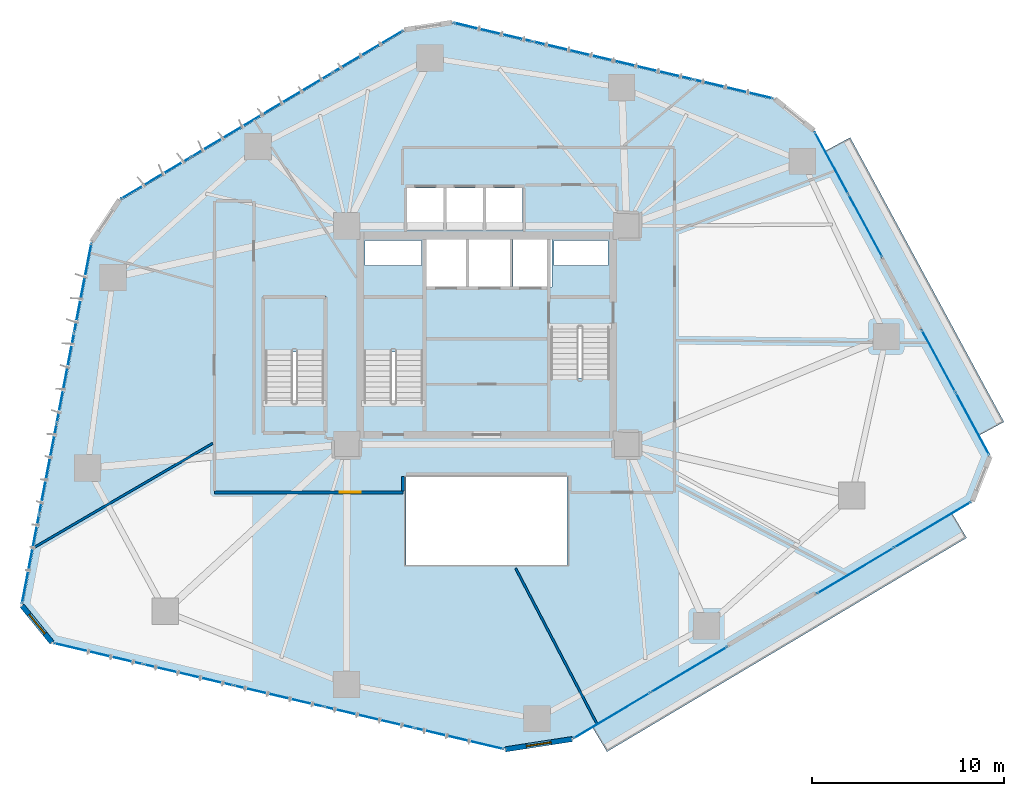
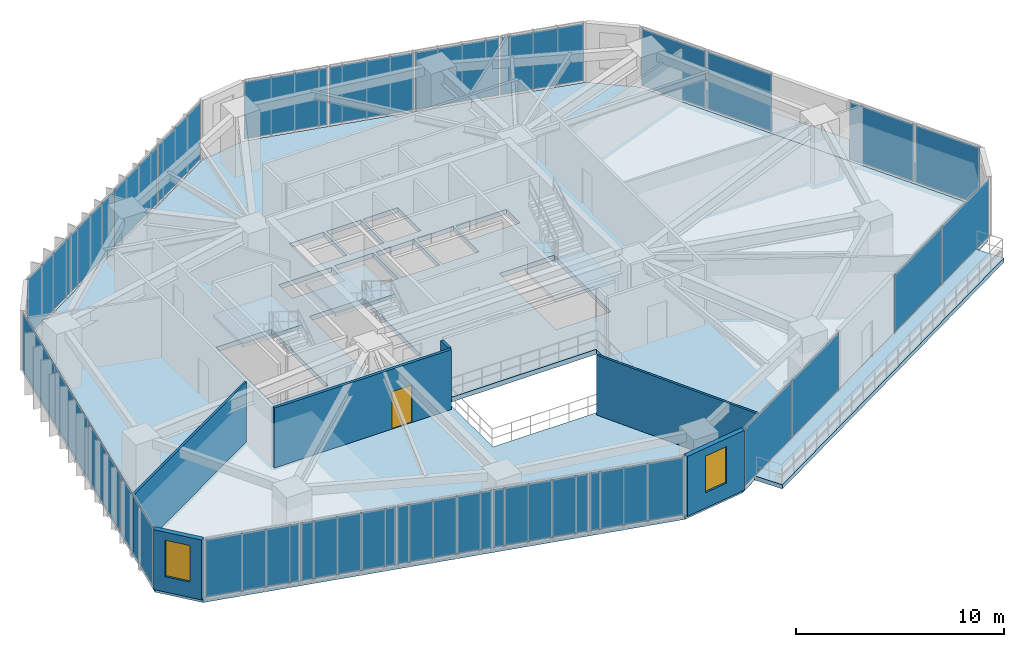
# One storey, part 16 of 23: 25 plates, 6 slabs, 6 walls, 2 windows, 1 door, 3 openings, 11 elements without a shape of their own.
"""IFC4 building model written with IfcOpenShell, lengths in metres."""

from ifc_helpers import new_model, si_unit, direction, frame, frame_2d, origin, origin_2d, place, context, subcontext, project, spatial, polyline, rectangle, outline, extrude, source, transform, mapped, material, layer, layer_set, type_object, type_shapes, element, fill, aggregate, save


model = new_model("IFC4")

# Units and contexts
model_context = context("Model", 3, precision=1e-05, world=origin(), true_north=direction((0.0, 1.0)))
body_context = subcontext(model_context, "Body", "Model", "MODEL_VIEW")
ifc_project = project(units=[si_unit("LENGTHUNIT", "METRE"), si_unit("AREAUNIT", "SQUARE_METRE"), si_unit("VOLUMEUNIT", "CUBIC_METRE"), si_unit("PLANEANGLEUNIT", "RADIAN"), si_unit("MASSUNIT", "GRAM", prefix="KILO")], contexts=[model_context])

# Site, building, storey
site_placement = place(None, origin())
site = spatial("IfcSite", under=ifc_project, at=site_placement, CompositionType="ELEMENT")
building_placement = place(site_placement, origin())
building = spatial("IfcBuilding", under=site, at=building_placement, Name="Talar Marvaseh", CompositionType="ELEMENT")
storey_placement = place(building_placement, frame((0.0, 0.0, 50.60009765625)))
storey = spatial("IfcBuildingStorey", under=building, at=storey_placement, Name="L12", CompositionType="ELEMENT", Elevation=50.60009765625)

# Slabs
ifc_material_1 = material(Name="Concrete C40/50", Category="concrete")
ifc_layer_1 = layer(ifc_material_1, 0.2451171875)
ifc_layer_set_1 = layer_set([ifc_layer_1], Name="Concrete C40/50")
slab_type_1 = type_object("IfcSlabType", Name="External Cantilevered Planted Terrace Slab 245", PredefinedType="FLOOR", material=ifc_layer_set_1)
slab_1_placement = place(storey_placement, frame((0.0, 0.0, -0.2451171875)))
element("IfcSlab", 1, at=slab_1_placement, inside=storey, type_object=slab_type_1, Name="L12 Planted Balcony Terrace 1", PredefinedType="FLOOR", context=body_context, shape_type="SweptSolid", body=[
    extrude(outline(polyline([(43.59912109375, 40.773681640625), (51.622314453125, 25.9375), (52.985595703125, 26.6748046875), (44.962646484375, 41.510986328125), (43.59912109375, 40.773681640625)])), origin(), (0.0, 0.0, 1.0), 0.2451171875),
])
slab_2_placement = place(storey_placement, frame((0.0, 0.0, -0.2451171875)))
element("IfcSlab", 2, at=slab_2_placement, inside=storey, type_object=slab_type_1, Name="L12 Planted Balcony Terrace 2", PredefinedType="FLOOR", context=body_context, shape_type="SweptSolid", body=[
    extrude(outline(polyline([(50.244140625, 21.960205078125), (31.484619140625, 10.803466796875), (32.27685546875, 9.47119140625), (51.03662109375, 20.628173828125), (50.244140625, 21.960205078125)])), origin(), (0.0, 0.0, 1.0), 0.2451171875),
])

# Stair, slab
stair_type = type_object("IfcStairType", Name="Reinforced Concrete Half-Turn Exit Stair Type B", PredefinedType="HALF_TURN_STAIR", material=ifc_material_1)
stair_1_placement = place(storey_placement, origin())
stair_1 = element("IfcStair", 3, at=stair_1_placement, inside=storey, type_object=stair_type, Name="L12 Tower West Core Exit Stair", PredefinedType="HALF_TURN_STAIR")
ifc_layer_2 = layer(ifc_material_1, 0.199951171875)
ifc_layer_set_2 = layer_set([ifc_layer_2], Name="Concrete C40/50")
slab_type_2 = type_object("IfcSlabType", Name="Reinforced Concrete Stair Half-Landing Slab 200", PredefinedType="LANDING", material=ifc_layer_set_2)
slab_3_placement = place(storey_placement, frame((0.0, 0.0, 1.699951171875)))
slab_3 = element("IfcSlab", 4, at=slab_3_placement, type_object=slab_type_2, Name="ST-1 landing 1", PredefinedType="LANDING", context=body_context, shape_type="SweptSolid", body=[
    extrude(outline(polyline([(22.780029296875, 30.330078125), (22.780029296875, 33.219970703125), (19.47998046875, 33.219970703125), (19.47998046875, 30.330078125), (22.780029296875, 30.330078125)])), origin(), (0.0, 0.0, 1.0), 0.199951171875),
])
aggregate(stair_1, [slab_3])

stair_2_placement = place(storey_placement, origin())
stair_2 = element("IfcStair", 5, at=stair_2_placement, inside=storey, type_object=stair_type, Name="L12 Tower East Core Exit Stair", PredefinedType="HALF_TURN_STAIR")
slab_4_placement = place(storey_placement, frame((0.0, 0.0, 1.699951171875)))
slab_4 = element("IfcSlab", 6, at=slab_4_placement, type_object=slab_type_2, Name="ST-2 landing 1", PredefinedType="LANDING", context=body_context, shape_type="SweptSolid", body=[
    extrude(outline(polyline([(29.219970703125, 28.969970703125), (29.219970703125, 26.080078125), (32.52001953125, 26.080078125), (32.52001953125, 28.969970703125), (29.219970703125, 28.969970703125)])), origin(), (0.0, 0.0, 1.0), 0.199951171875),
])
aggregate(stair_2, [slab_4])

stair_3_placement = place(storey_placement, origin())
stair_3 = element("IfcStair", 7, at=stair_3_placement, inside=storey, type_object=stair_type, Name="L12 Museum & Podium Auxiliary Exit Stair", PredefinedType="HALF_TURN_STAIR")
slab_5_placement = place(storey_placement, frame((0.0, 0.0, 1.699951171875)))
slab_5 = element("IfcSlab", 8, at=slab_5_placement, type_object=slab_type_2, Name="ST-3 landing 1", PredefinedType="LANDING", context=body_context, shape_type="SweptSolid", body=[
    extrude(outline(polyline([(17.6201171875, 30.330078125), (17.6201171875, 33.219970703125), (14.320068359375, 33.219970703125), (14.320068359375, 30.330078125), (17.6201171875, 30.330078125)])), origin(), (0.0, 0.0, 1.0), 0.199951171875),
])
aggregate(stair_3, [slab_5])

# Slab
ifc_layer_3 = layer(ifc_material_1, 0.280029296875)
ifc_layer_set_3 = layer_set([ifc_layer_3], Name="Concrete C40/50")
slab_type_3 = type_object("IfcSlabType", Name="Structural Suspended Floor Slab 280", PredefinedType="FLOOR", material=ifc_layer_set_3)
slab_6_placement = place(storey_placement, frame((0.0, 0.0, -0.280029296875)))
element("IfcSlab", 9, at=slab_6_placement, inside=storey, type_object=slab_type_3, Name="L12 Tower Floor Slab", PredefinedType="FLOOR", context=body_context, shape_type="SweptSolid", body=[
    extrude(outline(polyline([(3.37548828125, 15.201171875), (1.806396484375, 17.126953125), (5.450927734375, 36.04541015625), (6.903564453125, 38.22998046875), (21.7158203125, 47.06591796875), (24.202392578125, 47.44873046875), (40.986083984375, 43.4755859375), (43.0283203125, 41.8291015625), (52.193115234375, 24.882080078125), (51.275634765625, 22.57373046875), (30.453125, 10.18994140625), (26.958251953125, 9.652099609375), (3.37548828125, 15.201171875)]), holes=[polyline([(22.659912109375, 27.64990234375), (22.659912109375, 33.10009765625), (19.60009765625, 33.10009765625), (19.60009765625, 27.64990234375), (22.659912109375, 27.64990234375)]), polyline([(29.340087890625, 31.64990234375), (29.340087890625, 26.199951171875), (32.39990234375, 26.199951171875), (32.39990234375, 31.64990234375), (29.340087890625, 31.64990234375)]), polyline([(17.5, 27.64990234375), (17.5, 33.10009765625), (14.43994140625, 33.10009765625), (14.43994140625, 27.64990234375), (17.5, 27.64990234375)]), polyline([(22.800048828125, 33.719970703125), (24.93994140625, 33.719970703125), (24.93994140625, 36.179931640625), (22.800048828125, 36.179931640625), (22.800048828125, 33.719970703125)]), polyline([(25.080078125, 33.719970703125), (27.219970703125, 33.719970703125), (27.219970703125, 36.179931640625), (25.080078125, 36.179931640625), (25.080078125, 33.719970703125)]), polyline([(27.360107421875, 33.719970703125), (29.39990234375, 33.719970703125), (29.39990234375, 36.179931640625), (27.360107421875, 36.179931640625), (27.360107421875, 33.719970703125)]), polyline([(21.840087890625, 36.659912109375), (23.760009765625, 36.659912109375), (23.760009765625, 38.8798828125), (21.840087890625, 38.8798828125), (21.840087890625, 36.659912109375)]), polyline([(23.89990234375, 36.659912109375), (25.820068359375, 36.659912109375), (25.820068359375, 38.8798828125), (23.89990234375, 38.8798828125), (23.89990234375, 36.659912109375)]), polyline([(25.9599609375, 36.659912109375), (27.8798828125, 36.659912109375), (27.8798828125, 38.8798828125), (25.9599609375, 38.8798828125), (25.9599609375, 36.659912109375)]), polyline([(19.659912109375, 34.840087890625), (22.60009765625, 34.840087890625), (22.60009765625, 36.139892578125), (19.659912109375, 36.139892578125), (19.659912109375, 34.840087890625)]), polyline([(29.52001953125, 34.840087890625), (32.340087890625, 34.840087890625), (32.340087890625, 36.139892578125), (29.52001953125, 36.139892578125), (29.52001953125, 34.840087890625)]), polyline([(21.800048828125, 19.199951171875), (30.199951171875, 19.199951171875), (30.199951171875, 23.800048828125), (21.800048828125, 23.800048828125), (21.800048828125, 19.199951171875)])]), origin(), (0.0, 0.0, 1.0), 0.280029296875),
])

# Curtain wall, plates
ifc_material_2 = material(Name="Architectural Aluminium", Category="aluminium")
ifc_layer_4 = layer(ifc_material_2, 0.219970703125)
ifc_layer_set_4 = layer_set([ifc_layer_4], Name="Architectural Aluminium")
curtain_wall_type = type_object("IfcCurtainWallType", Name="Unitised Low-E Museum Curtain Wall Z1", PredefinedType="NOTDEFINED", material=ifc_layer_set_4)
curtain_wall_1_placement = place(storey_placement, origin())
curtain_wall_1 = element("IfcCurtainWall", 10, at=curtain_wall_1_placement, inside=storey, type_object=curtain_wall_type, Name="L12 Unitised Low-E Museum Curtain Wall Z1", PredefinedType="NOTDEFINED")
ifc_material_3 = material(Name="Laminated Low-E Solar Glass", Category="glass")
ifc_layer_5 = layer(ifc_material_3, 0.028076171875)
ifc_layer_set_5 = layer_set([ifc_layer_5], Name="Laminated Low-E Solar Glass")
plate_type = type_object("IfcPlateType", Name="Double-Glazed Low-E Vision Curtain Panel 28", PredefinedType="CURTAIN_PANEL", material=ifc_layer_set_5)
shared_shape_1 = source(origin(), body_context, "Body", "SweptSolid", [
    extrude(rectangle(XDim=4.696533203125, YDim=0.028076171875, at=origin_2d()), origin(), (0.0, 0.0, 1.0), 3.3701171875),
])
plate_1_placement = place(storey_placement, frame((2.206787109375, 19.522705078125, 0.074951171875), z_axis=(0.0, 0.0, 1.0), x_axis=(0.189163100658, 0.981945681466, 0.0)))
plate_1 = element("IfcPlate", 11, at=plate_1_placement, type_object=plate_type, Name="CW-Z1 panel 1.1", PredefinedType="CURTAIN_PANEL", context=body_context, shape_type="MappedRepresentation", body=[
    mapped(shared_shape_1, transform((0.0, 0.0, 0.0), x_axis=(1.0, 0.0, 0.0), y_axis=(0.0, 1.0, 0.0), z_axis=(0.0, 0.0, 1.0), scale=1.0)),
])
plate_2_placement = place(storey_placement, frame((4.9326171875, 33.67236328125, 0.074951171875), z_axis=(0.0, 0.0, 1.0), x_axis=(0.189163100658, 0.981945681466, 0.0)))
plate_2 = element("IfcPlate", 12, at=plate_2_placement, type_object=plate_type, Name="CW-Z1 panel 4.1", PredefinedType="CURTAIN_PANEL", context=body_context, shape_type="MappedRepresentation", body=[
    mapped(shared_shape_1, transform((0.0, 0.0, 0.0), x_axis=(1.0, 0.0, 0.0), y_axis=(0.0, 1.0, 0.0), z_axis=(0.0, 0.0, 1.0), scale=1.0)),
])
shared_shape_2 = source(origin(), body_context, "Body", "SweptSolid", [
    extrude(rectangle(XDim=4.736572265625, YDim=0.028076171875, at=origin_2d()), origin(), (0.0, 0.0, 1.0), 3.3701171875),
])
plate_3_placement = place(storey_placement, frame((3.1142578125, 24.232666015625, 0.074951171875), z_axis=(0.0, 0.0, 1.0), x_axis=(0.189163100658, 0.981945681466, 0.0)))
plate_3 = element("IfcPlate", 13, at=plate_3_placement, type_object=plate_type, Name="CW-Z1 panel 2.1", PredefinedType="CURTAIN_PANEL", context=body_context, shape_type="MappedRepresentation", body=[
    mapped(shared_shape_2, transform((0.0, 0.0, 0.0), x_axis=(1.0, 0.0, 0.0), y_axis=(0.0, 1.0, 0.0), z_axis=(0.0, 0.0, 1.0), scale=1.0)),
])
plate_4_placement = place(storey_placement, frame((4.025390625, 28.96240234375, 0.074951171875), z_axis=(0.0, 0.0, 1.0), x_axis=(0.189163100658, 0.981945681466, 0.0)))
plate_4 = element("IfcPlate", 14, at=plate_4_placement, type_object=plate_type, Name="CW-Z1 panel 3.1", PredefinedType="CURTAIN_PANEL", context=body_context, shape_type="MappedRepresentation", body=[
    mapped(shared_shape_2, transform((0.0, 0.0, 0.0), x_axis=(1.0, 0.0, 0.0), y_axis=(0.0, 1.0, 0.0), z_axis=(0.0, 0.0, 1.0), scale=1.0)),
])
aggregate(curtain_wall_1, [plate_1, plate_3, plate_4, plate_2])

curtain_wall_2_placement = place(storey_placement, origin())
curtain_wall_2 = element("IfcCurtainWall", 15, at=curtain_wall_2_placement, inside=storey, type_object=curtain_wall_type, Name="L12 Unitised Low-E Museum Curtain Wall Z1", PredefinedType="NOTDEFINED")
shared_shape_3 = source(origin(), body_context, "Body", "SweptSolid", [
    extrude(rectangle(XDim=4.19189453125, YDim=0.028076171875, at=origin_2d()), origin(), (0.0, 0.0, 1.0), 3.3701171875),
])
plate_5_placement = place(storey_placement, frame((8.741455078125, 39.396240234375, 0.074951171875), z_axis=(0.0, 0.0, 1.0), x_axis=(0.858800306055, 0.512310486248, 0.0)))
plate_5 = element("IfcPlate", 16, at=plate_5_placement, type_object=plate_type, Name="CW-Z1 panel 1.1", PredefinedType="CURTAIN_PANEL", context=body_context, shape_type="MappedRepresentation", body=[
    mapped(shared_shape_3, transform((0.0, 0.0, 0.0), x_axis=(1.0, 0.0, 0.0), y_axis=(0.0, 1.0, 0.0), z_axis=(0.0, 0.0, 1.0), scale=1.0)),
])
plate_6_placement = place(storey_placement, frame((19.81640625, 46.002685546875, 0.074951171875), z_axis=(0.0, 0.0, 1.0), x_axis=(0.858800306055, 0.512310486248, 0.0)))
plate_6 = element("IfcPlate", 17, at=plate_6_placement, type_object=plate_type, Name="CW-Z1 panel 4.1", PredefinedType="CURTAIN_PANEL", context=body_context, shape_type="MappedRepresentation", body=[
    mapped(shared_shape_3, transform((0.0, 0.0, 0.0), x_axis=(1.0, 0.0, 0.0), y_axis=(0.0, 1.0, 0.0), z_axis=(0.0, 0.0, 1.0), scale=1.0)),
])

curtain_wall_3_placement = place(storey_placement, origin())
curtain_wall_3 = element("IfcCurtainWall", 18, at=curtain_wall_3_placement, inside=storey, type_object=curtain_wall_type, Name="L12 Unitised Low-E Museum Curtain Wall Z1", PredefinedType="NOTDEFINED")
plate_7_placement = place(storey_placement, frame((26.333740234375, 47.005859375, 0.074951171875), z_axis=(0.0, 0.0, 1.0), x_axis=(0.973107415064, -0.230351815158, 0.0)))
plate_7 = element("IfcPlate", 19, at=plate_7_placement, type_object=plate_type, Name="CW-Z1 panel 1.1", PredefinedType="CURTAIN_PANEL", context=body_context, shape_type="MappedRepresentation", body=[
    mapped(shared_shape_3, transform((0.0, 0.0, 0.0), x_axis=(1.0, 0.0, 0.0), y_axis=(0.0, 1.0, 0.0), z_axis=(0.0, 0.0, 1.0), scale=1.0)),
])
plate_8_placement = place(storey_placement, frame((38.882568359375, 44.035400390625, 0.074951171875), z_axis=(0.0, 0.0, 1.0), x_axis=(0.973107415064, -0.230351815158, 0.0)))
plate_8 = element("IfcPlate", 20, at=plate_8_placement, type_object=plate_type, Name="CW-Z1 panel 4.1", PredefinedType="CURTAIN_PANEL", context=body_context, shape_type="MappedRepresentation", body=[
    mapped(shared_shape_3, transform((0.0, 0.0, 0.0), x_axis=(1.0, 0.0, 0.0), y_axis=(0.0, 1.0, 0.0), z_axis=(0.0, 0.0, 1.0), scale=1.0)),
])

# Plate
shared_shape_4 = source(origin(), body_context, "Body", "SweptSolid", [
    extrude(rectangle(XDim=4.23193359375, YDim=0.028076171875, at=origin_2d()), origin(), (0.0, 0.0, 1.0), 3.3701171875),
])
plate_9_placement = place(storey_placement, frame((12.427490234375, 41.594970703125, 0.074951171875), z_axis=(0.0, 0.0, 1.0), x_axis=(0.858800306055, 0.512310486248, 0.0)))
plate_9 = element("IfcPlate", 21, at=plate_9_placement, type_object=plate_type, Name="CW-Z1 panel 2.1", PredefinedType="CURTAIN_PANEL", context=body_context, shape_type="MappedRepresentation", body=[
    mapped(shared_shape_4, transform((0.0, 0.0, 0.0), x_axis=(1.0, 0.0, 0.0), y_axis=(0.0, 1.0, 0.0), z_axis=(0.0, 0.0, 1.0), scale=1.0)),
])

plate_10_placement = place(storey_placement, frame((16.13037109375, 43.803955078125, 0.074951171875), z_axis=(0.0, 0.0, 1.0), x_axis=(0.858800306055, 0.512310486248, 0.0)))
plate_10 = element("IfcPlate", 22, at=plate_10_placement, type_object=plate_type, Name="CW-Z1 panel 3.1", PredefinedType="CURTAIN_PANEL", context=body_context, shape_type="MappedRepresentation", body=[
    mapped(shared_shape_4, transform((0.0, 0.0, 0.0), x_axis=(1.0, 0.0, 0.0), y_axis=(0.0, 1.0, 0.0), z_axis=(0.0, 0.0, 1.0), scale=1.0)),
])

aggregate(curtain_wall_2, [plate_5, plate_9, plate_10, plate_6])

plate_11_placement = place(storey_placement, frame((30.510009765625, 46.017333984375, 0.074951171875), z_axis=(0.0, 0.0, 1.0), x_axis=(0.973107415064, -0.230351815158, 0.0)))
plate_11 = element("IfcPlate", 23, at=plate_11_placement, type_object=plate_type, Name="CW-Z1 panel 2.1", PredefinedType="CURTAIN_PANEL", context=body_context, shape_type="MappedRepresentation", body=[
    mapped(shared_shape_4, transform((0.0, 0.0, 0.0), x_axis=(1.0, 0.0, 0.0), y_axis=(0.0, 1.0, 0.0), z_axis=(0.0, 0.0, 1.0), scale=1.0)),
])

plate_12_placement = place(storey_placement, frame((34.7060546875, 45.02392578125, 0.074951171875), z_axis=(0.0, 0.0, 1.0), x_axis=(0.973107415064, -0.230351815158, 0.0)))
plate_12 = element("IfcPlate", 24, at=plate_12_placement, type_object=plate_type, Name="CW-Z1 panel 3.1", PredefinedType="CURTAIN_PANEL", context=body_context, shape_type="MappedRepresentation", body=[
    mapped(shared_shape_4, transform((0.0, 0.0, 0.0), x_axis=(1.0, 0.0, 0.0), y_axis=(0.0, 1.0, 0.0), z_axis=(0.0, 0.0, 1.0), scale=1.0)),
])

aggregate(curtain_wall_3, [plate_7, plate_11, plate_12, plate_8])

# Curtain wall, plates
curtain_wall_4_placement = place(storey_placement, origin())
curtain_wall_4 = element("IfcCurtainWall", 25, at=curtain_wall_4_placement, inside=storey, type_object=curtain_wall_type, Name="L12 Unitised Low-E Museum Curtain Wall Z1", PredefinedType="NOTDEFINED")
shared_shape_5 = source(origin(), body_context, "Body", "SweptSolid", [
    extrude(rectangle(XDim=4.725341796875, YDim=0.028076171875, at=origin_2d()), origin(), (0.0, 0.0, 1.0), 3.3701171875),
])
plate_13_placement = place(storey_placement, frame((24.566650390625, 10.153076171875, 0.074951171875), z_axis=(0.0, 0.0, 1.0), x_axis=(-0.973413920227, 0.229053137738, 0.0)))
plate_13 = element("IfcPlate", 26, at=plate_13_placement, type_object=plate_type, Name="CW-Z1 panel 1.1", PredefinedType="CURTAIN_PANEL", context=body_context, shape_type="MappedRepresentation", body=[
    mapped(shared_shape_5, transform((0.0, 0.0, 0.0), x_axis=(1.0, 0.0, 0.0), y_axis=(0.0, 1.0, 0.0), z_axis=(0.0, 0.0, 1.0), scale=1.0)),
])
plate_14_placement = place(storey_placement, frame((5.73974609375, 14.583251953125, 0.074951171875), z_axis=(0.0, 0.0, 1.0), x_axis=(-0.973413920227, 0.229053137738, 0.0)))
plate_14 = element("IfcPlate", 27, at=plate_14_placement, type_object=plate_type, Name="CW-Z1 panel 5.1", PredefinedType="CURTAIN_PANEL", context=body_context, shape_type="MappedRepresentation", body=[
    mapped(shared_shape_5, transform((0.0, 0.0, 0.0), x_axis=(1.0, 0.0, 0.0), y_axis=(0.0, 1.0, 0.0), z_axis=(0.0, 0.0, 1.0), scale=1.0)),
])
shared_shape_6 = source(origin(), body_context, "Body", "SweptSolid", [
    extrude(rectangle(XDim=4.765380859375, YDim=0.028076171875, at=origin_2d()), origin(), (0.0, 0.0, 1.0), 3.3701171875),
])
plate_15_placement = place(storey_placement, frame((19.86962890625, 11.25830078125, 0.074951171875), z_axis=(0.0, 0.0, 1.0), x_axis=(-0.973413920227, 0.229053137738, 0.0)))
plate_15 = element("IfcPlate", 28, at=plate_15_placement, type_object=plate_type, Name="CW-Z1 panel 2.1", PredefinedType="CURTAIN_PANEL", context=body_context, shape_type="MappedRepresentation", body=[
    mapped(shared_shape_6, transform((0.0, 0.0, 0.0), x_axis=(1.0, 0.0, 0.0), y_axis=(0.0, 1.0, 0.0), z_axis=(0.0, 0.0, 1.0), scale=1.0)),
])
plate_16_placement = place(storey_placement, frame((15.1533203125, 12.3681640625, 0.074951171875), z_axis=(0.0, 0.0, 1.0), x_axis=(-0.973413920227, 0.229053137738, 0.0)))
plate_16 = element("IfcPlate", 29, at=plate_16_placement, type_object=plate_type, Name="CW-Z1 panel 3.1", PredefinedType="CURTAIN_PANEL", context=body_context, shape_type="MappedRepresentation", body=[
    mapped(shared_shape_6, transform((0.0, 0.0, 0.0), x_axis=(1.0, 0.0, 0.0), y_axis=(0.0, 1.0, 0.0), z_axis=(0.0, 0.0, 1.0), scale=1.0)),
])
plate_17_placement = place(storey_placement, frame((10.436767578125, 13.47802734375, 0.074951171875), z_axis=(0.0, 0.0, 1.0), x_axis=(-0.973413920227, 0.229053137738, 0.0)))
plate_17 = element("IfcPlate", 30, at=plate_17_placement, type_object=plate_type, Name="CW-Z1 panel 4.1", PredefinedType="CURTAIN_PANEL", context=body_context, shape_type="MappedRepresentation", body=[
    mapped(shared_shape_6, transform((0.0, 0.0, 0.0), x_axis=(1.0, 0.0, 0.0), y_axis=(0.0, 1.0, 0.0), z_axis=(0.0, 0.0, 1.0), scale=1.0)),
])
aggregate(curtain_wall_4, [plate_13, plate_15, plate_16, plate_17, plate_14])

curtain_wall_5_placement = place(storey_placement, origin())
curtain_wall_5 = element("IfcCurtainWall", 31, at=curtain_wall_5_placement, inside=storey, type_object=curtain_wall_type, Name="L12 Unitised Low-E Museum Curtain Wall Z1", PredefinedType="NOTDEFINED")
shared_shape_7 = source(origin(), body_context, "Body", "SweptSolid", [
    extrude(rectangle(XDim=3.636962890625, YDim=0.028076171875, at=origin_2d()), origin(), (0.0, 0.0, 1.0), 3.3701171875),
])
plate_18_placement = place(storey_placement, frame((43.984375, 40.187744140625, 0.074951171875), z_axis=(0.0, 0.0, 1.0), x_axis=(0.475676805238, -0.879620132192, 0.0)))
plate_18 = element("IfcPlate", 32, at=plate_18_placement, type_object=plate_type, Name="CW-Z1 panel 1.1", PredefinedType="CURTAIN_PANEL", context=body_context, shape_type="MappedRepresentation", body=[
    mapped(shared_shape_7, transform((0.0, 0.0, 0.0), x_axis=(1.0, 0.0, 0.0), y_axis=(0.0, 1.0, 0.0), z_axis=(0.0, 0.0, 1.0), scale=1.0)),
])
plate_19_placement = place(storey_placement, frame((45.75244140625, 36.918212890625, 0.074951171875), z_axis=(0.0, 0.0, 1.0), x_axis=(0.475676805238, -0.879620132192, 0.0)))
plate_19 = element("IfcPlate", 33, at=plate_19_placement, type_object=plate_type, Name="CW-Z1 panel 2.1", PredefinedType="CURTAIN_PANEL", context=body_context, shape_type="MappedRepresentation", body=[
    mapped(shared_shape_7, transform((0.0, 0.0, 0.0), x_axis=(1.0, 0.0, 0.0), y_axis=(0.0, 1.0, 0.0), z_axis=(0.0, 0.0, 1.0), scale=1.0)),
])
aggregate(curtain_wall_5, [plate_18, plate_19])

curtain_wall_6_placement = place(storey_placement, origin())
curtain_wall_6 = element("IfcCurtainWall", 34, at=curtain_wall_6_placement, inside=storey, type_object=curtain_wall_type, Name="L12 Unitised Low-E Museum Curtain Wall Z1", PredefinedType="NOTDEFINED")
plate_20_placement = place(storey_placement, frame((49.57470703125, 29.85009765625, 0.074951171875), z_axis=(0.0, 0.0, 1.0), x_axis=(0.475676805238, -0.879620132192, 0.0)))
plate_20 = element("IfcPlate", 35, at=plate_20_placement, type_object=plate_type, Name="CW-Z1 panel 1.1", PredefinedType="CURTAIN_PANEL", context=body_context, shape_type="MappedRepresentation", body=[
    mapped(shared_shape_7, transform((0.0, 0.0, 0.0), x_axis=(1.0, 0.0, 0.0), y_axis=(0.0, 1.0, 0.0), z_axis=(0.0, 0.0, 1.0), scale=1.0)),
])
plate_21_placement = place(storey_placement, frame((51.3427734375, 26.58056640625, 0.074951171875), z_axis=(0.0, 0.0, 1.0), x_axis=(0.475676805238, -0.879620132192, 0.0)))
plate_21 = element("IfcPlate", 36, at=plate_21_placement, type_object=plate_type, Name="CW-Z1 panel 2.1", PredefinedType="CURTAIN_PANEL", context=body_context, shape_type="MappedRepresentation", body=[
    mapped(shared_shape_7, transform((0.0, 0.0, 0.0), x_axis=(1.0, 0.0, 0.0), y_axis=(0.0, 1.0, 0.0), z_axis=(0.0, 0.0, 1.0), scale=1.0)),
])
aggregate(curtain_wall_6, [plate_20, plate_21])

curtain_wall_7_placement = place(storey_placement, origin())
curtain_wall_7 = element("IfcCurtainWall", 37, at=curtain_wall_7_placement, inside=storey, type_object=curtain_wall_type, Name="L12 Unitised Low-E Museum Curtain Wall Z1", PredefinedType="NOTDEFINED")
shared_shape_8 = source(origin(), body_context, "Body", "SweptSolid", [
    extrude(rectangle(XDim=4.604248046875, YDim=0.028076171875, at=origin_2d()), origin(), (0.0, 0.0, 1.0), 3.3701171875),
])
type_shapes(plate_type, [shared_shape_1, shared_shape_2, shared_shape_3, shared_shape_4, shared_shape_5, shared_shape_6, shared_shape_7, shared_shape_8])
plate_22_placement = place(storey_placement, frame((49.2587890625, 21.304443359375, 0.074951171875), z_axis=(0.0, 0.0, 1.0), x_axis=(-0.859488637111, -0.511154851955, 0.0)))
plate_22 = element("IfcPlate", 38, at=plate_22_placement, type_object=plate_type, Name="CW-Z1 panel 1.1", PredefinedType="CURTAIN_PANEL", context=body_context, shape_type="MappedRepresentation", body=[
    mapped(shared_shape_8, transform((0.0, 0.0, 0.0), x_axis=(1.0, 0.0, 0.0), y_axis=(0.0, 1.0, 0.0), z_axis=(0.0, 0.0, 1.0), scale=1.0)),
])
plate_23_placement = place(storey_placement, frame((45.23291015625, 18.91015625, 0.074951171875), z_axis=(0.0, 0.0, 1.0), x_axis=(-0.859488637111, -0.511154851955, 0.0)))
plate_23 = element("IfcPlate", 39, at=plate_23_placement, type_object=plate_type, Name="CW-Z1 panel 2.1", PredefinedType="CURTAIN_PANEL", context=body_context, shape_type="MappedRepresentation", body=[
    mapped(shared_shape_8, transform((0.0, 0.0, 0.0), x_axis=(1.0, 0.0, 0.0), y_axis=(0.0, 1.0, 0.0), z_axis=(0.0, 0.0, 1.0), scale=1.0)),
])
aggregate(curtain_wall_7, [plate_22, plate_23])

curtain_wall_8_placement = place(storey_placement, origin())
curtain_wall_8 = element("IfcCurtainWall", 40, at=curtain_wall_8_placement, inside=storey, type_object=curtain_wall_type, Name="L12 Unitised Low-E Museum Curtain Wall Z1", PredefinedType="NOTDEFINED")
plate_24_placement = place(storey_placement, frame((36.55712890625, 13.75048828125, 0.074951171875), z_axis=(0.0, 0.0, 1.0), x_axis=(-0.859488637111, -0.511154851955, 0.0)))
plate_24 = element("IfcPlate", 41, at=plate_24_placement, type_object=plate_type, Name="CW-Z1 panel 1.1", PredefinedType="CURTAIN_PANEL", context=body_context, shape_type="MappedRepresentation", body=[
    mapped(shared_shape_8, transform((0.0, 0.0, 0.0), x_axis=(1.0, 0.0, 0.0), y_axis=(0.0, 1.0, 0.0), z_axis=(0.0, 0.0, 1.0), scale=1.0)),
])
plate_25_placement = place(storey_placement, frame((32.53125, 11.35595703125, 0.074951171875), z_axis=(0.0, 0.0, 1.0), x_axis=(-0.859488637111, -0.511154851955, 0.0)))
plate_25 = element("IfcPlate", 42, at=plate_25_placement, type_object=plate_type, Name="CW-Z1 panel 2.1", PredefinedType="CURTAIN_PANEL", context=body_context, shape_type="MappedRepresentation", body=[
    mapped(shared_shape_8, transform((0.0, 0.0, 0.0), x_axis=(1.0, 0.0, 0.0), y_axis=(0.0, 1.0, 0.0), z_axis=(0.0, 0.0, 1.0), scale=1.0)),
])
aggregate(curtain_wall_8, [plate_24, plate_25])

# Wall, opening, window
ifc_material_4 = material(Name="Precast concrete C45/55", Category="concrete")
ifc_layer_6 = layer(ifc_material_4, 0.27001953125)
ifc_layer_set_6 = layer_set([ifc_layer_6], Name="Precast concrete C45/55")
wall_type_1 = type_object("IfcWallType", Name="Chamfered Hexagonal Corner Pier Wall Z1 270", PredefinedType="SOLIDWALL", material=ifc_layer_set_6)
wall_1_placement = place(storey_placement, frame((3.3291015625, 15.163330078125, 0.0), z_axis=(0.0, 0.0, 1.0), x_axis=(-0.631657637539, 0.775247463032, 0.0)))
wall_1 = element("IfcWall", 43, at=wall_1_placement, inside=storey, type_object=wall_type_1, Name="L12 Chamfered Corner Limestone Pier 1", PredefinedType="SOLIDWALL", context=body_context, shape_type="SweptSolid", body=[
    extrude(rectangle(XDim=2.484130859375, YDim=0.27001953125, at=frame_2d((1.2421875, 0.0))), origin(), (0.0, 0.0, 1.0), 3.52001953125),
])
opening_1_placement = place(wall_1_placement, frame((0.592041015625, 0.0, 0.89990234375)))
opening_1 = element("IfcOpeningElement", 44, at=opening_1_placement, cuts=wall_1, Name="Opening WN-CHM13", PredefinedType="OPENING", context=body_context, shape_type="SweptSolid", body=[
    extrude(rectangle(XDim=1.300048828125, YDim=2.14990234375, at=frame_2d((0.64990234375, 1.074951171875))), frame((0.0, 0.14501953125, 0.0), z_axis=(0.0, -1.0, 0.0), x_axis=(1.0, 0.0, 0.0)), (0.0, 0.0, 1.0), 0.2900390625),
])
window_type = type_object("IfcWindowType", Name="Zone 1 Chamfered Corner Slot Window 1300x2150", PartitioningType="SINGLE_PANEL", PredefinedType="WINDOW", material=ifc_material_3)
shared_shape_9 = source(origin(), body_context, "Body", "SweptSolid", [
    extrude(rectangle(XDim=1.300048828125, YDim=2.14990234375, at=frame_2d((0.64990234375, 1.074951171875))), frame((0.0, 0.030029296875, 0.0), z_axis=(0.0, -1.0, 0.0), x_axis=(1.0, 0.0, 0.0)), (0.0, 0.0, 1.0), 0.06005859375),
])
type_shapes(window_type, [shared_shape_9])
window_1_placement = place(opening_1_placement, origin())
window_1 = element("IfcWindow", 45, at=window_1_placement, inside=storey, type_object=window_type, Name="L12 Chamfered Corner Slot Window", OverallHeight=2.14990234375, OverallWidth=1.300048828125, PartitioningType="SINGLE_PANEL", PredefinedType="WINDOW", context=body_context, shape_type="MappedRepresentation", body=[
    mapped(shared_shape_9, transform((0.0, 0.0, 0.0), x_axis=(1.0, 0.0, 0.0), y_axis=(0.0, 1.0, 0.0), z_axis=(0.0, 0.0, 1.0), scale=1.0)),
])
fill(opening_1, window_1)

wall_2_placement = place(storey_placement, frame((30.462158203125, 10.130615234375, 0.0), z_axis=(0.0, 0.0, 1.0), x_axis=(-0.988364512781, -0.152103878565, 0.0)))
wall_2 = element("IfcWall", 46, at=wall_2_placement, inside=storey, type_object=wall_type_1, Name="L12 Chamfered Corner Limestone Pier 6", PredefinedType="SOLIDWALL", context=body_context, shape_type="SweptSolid", body=[
    extrude(rectangle(XDim=3.5361328125, YDim=0.27001953125, at=frame_2d((1.76806640625, 0.0))), origin(), (0.0, 0.0, 1.0), 3.52001953125),
])
opening_2_placement = place(wall_2_placement, frame((1.117919921875, 0.0, 0.89990234375)))
opening_2 = element("IfcOpeningElement", 47, at=opening_2_placement, cuts=wall_2, Name="Opening WN-CHM13", PredefinedType="OPENING", context=body_context, shape_type="SweptSolid", body=[
    extrude(rectangle(XDim=1.300048828125, YDim=2.14990234375, at=frame_2d((0.64990234375, 1.074951171875))), frame((0.0, 0.14501953125, 0.0), z_axis=(0.0, -1.0, 0.0), x_axis=(1.0, 0.0, 0.0)), (0.0, 0.0, 1.0), 0.2900390625),
])
window_2_placement = place(opening_2_placement, origin())
window_2 = element("IfcWindow", 48, at=window_2_placement, inside=storey, type_object=window_type, Name="L12 Chamfered Corner Slot Window", OverallHeight=2.14990234375, OverallWidth=1.300048828125, PartitioningType="SINGLE_PANEL", PredefinedType="WINDOW", context=body_context, shape_type="MappedRepresentation", body=[
    mapped(shared_shape_9, transform((0.0, 0.0, 0.0), x_axis=(1.0, 0.0, 0.0), y_axis=(0.0, 1.0, 0.0), z_axis=(0.0, 0.0, 1.0), scale=1.0)),
])
fill(opening_2, window_2)

# Wall, opening, door
ifc_material_5 = material(Name="Gypsum Board Partition Assembly")
ifc_layer_7 = layer(ifc_material_5, 0.155029296875)
ifc_layer_set_7 = layer_set([ifc_layer_7], Name="Gypsum Board Partition Assembly")
wall_type_2 = type_object("IfcWallType", Name="Corridor Fire-Rated Acoustic Partition 155", PredefinedType="PARTITIONING", material=ifc_layer_set_7)
wall_3_placement = place(storey_placement, frame((21.639892578125, 23.0, 0.0), z_axis=(0.0, 0.0, 1.0), x_axis=(-1.0, 0.0, 0.0)))
wall_3 = element("IfcWall", 49, at=wall_3_placement, inside=storey, type_object=wall_type_2, Name="L12 Interior Partition Wall", PredefinedType="PARTITIONING", context=body_context, shape_type="SweptSolid", body=[
    extrude(rectangle(XDim=9.83984375, YDim=0.155029296875, at=frame_2d((4.919921875, 0.0))), origin(), (0.0, 0.0, 1.0), 3.52001953125),
])
opening_3_placement = place(wall_3_placement, frame((2.205078125, 0.0, 0.0)))
opening_3 = element("IfcOpeningElement", 50, at=opening_3_placement, cuts=wall_3, Name="Opening DR-RM110", PredefinedType="OPENING", context=body_context, shape_type="SweptSolid", body=[
    extrude(rectangle(XDim=1.10009765625, YDim=2.199951171875, at=frame_2d((0.550048828125, 1.10009765625))), frame((0.0, 0.08740234375, 0.0), z_axis=(0.0, -1.0, 0.0), x_axis=(1.0, 0.0, 0.0)), (0.0, 0.0, 1.0), 0.175048828125),
])
ifc_material_6 = material(Name="Acoustic Engineered Oak Timber", Category="wood")
door_type = type_object("IfcDoorType", Name="Assembly and Reading Hall Door 1100x2200", OperationType="NOTDEFINED", PredefinedType="DOOR", material=ifc_material_6)
shared_shape_10 = source(origin(), body_context, "Body", "SweptSolid", [
    extrude(rectangle(XDim=1.10009765625, YDim=2.199951171875, at=frame_2d((0.550048828125, 1.10009765625))), frame((0.0, 0.02490234375, 0.0), z_axis=(0.0, -1.0, 0.0), x_axis=(1.0, 0.0, 0.0)), (0.0, 0.0, 1.0), 0.050048828125),
])
type_shapes(door_type, [shared_shape_10])
door_placement = place(opening_3_placement, origin())
door = element("IfcDoor", 51, at=door_placement, inside=storey, type_object=door_type, Name="L12 Exhibition Gallery Door", OperationType="SINGLE_SWING_LEFT", OverallHeight=2.199951171875, OverallWidth=1.10009765625, PredefinedType="DOOR", context=body_context, shape_type="MappedRepresentation", body=[
    mapped(shared_shape_10, transform((0.0, 0.0, 0.0), x_axis=(1.0, 0.0, 0.0), y_axis=(0.0, 1.0, 0.0), z_axis=(0.0, 0.0, 1.0), scale=1.0)),
])
fill(opening_3, door)

# Walls
wall_4_placement = place(storey_placement, frame((21.64306640625, 23.831298828125, 0.0), z_axis=(0.0, 0.0, 1.0), x_axis=(-0.00359122725, -0.999993551523, 0.0)))
element("IfcWall", 52, at=wall_4_placement, inside=storey, type_object=wall_type_2, Name="L12 Interior Partition Wall", PredefinedType="PARTITIONING", context=body_context, shape_type="SweptSolid", body=[
    extrude(rectangle(XDim=0.747802734375, YDim=0.155029296875, at=frame_2d((0.3740234375, 0.0))), origin(), (0.0, 0.0, 1.0), 3.52001953125),
])
ifc_layer_8 = layer(ifc_material_5, 0.1201171875)
ifc_layer_set_8 = layer_set([ifc_layer_8], Name="Gypsum Board Partition Assembly")
wall_type_3 = type_object("IfcWallType", Name="Demountable Studio Room Partition 120", PredefinedType="PARTITIONING", material=ifc_layer_set_8)
wall_5_placement = place(storey_placement, frame((27.510009765625, 19.0400390625, 0.0), z_axis=(0.0, 0.0, 1.0), x_axis=(0.463187125159, -0.886260507462, 0.0)))
element("IfcWall", 53, at=wall_5_placement, inside=storey, type_object=wall_type_3, Name="L12 Interior Partition Wall", PredefinedType="PARTITIONING", context=body_context, shape_type="SweptSolid", body=[
    extrude(rectangle(XDim=9.15966796875, YDim=0.1201171875, at=frame_2d((4.579833984375, 0.0))), origin(), (0.0, 0.0, 1.0), 3.52001953125),
])
wall_6_placement = place(storey_placement, frame((2.33544921875, 20.0908203125, 0.0), z_axis=(0.0, 0.0, 1.0), x_axis=(0.863853092256, 0.503743818821, 0.0)))
element("IfcWall", 54, at=wall_6_placement, inside=storey, type_object=wall_type_3, Name="L12 Interior Partition Wall", PredefinedType="PARTITIONING", context=body_context, shape_type="SweptSolid", body=[
    extrude(rectangle(XDim=10.859619140625, YDim=0.1201171875, at=frame_2d((5.4296875, 0.0))), origin(), (0.0, 0.0, 1.0), 3.52001953125),
])

save(model, "model.ifc")
